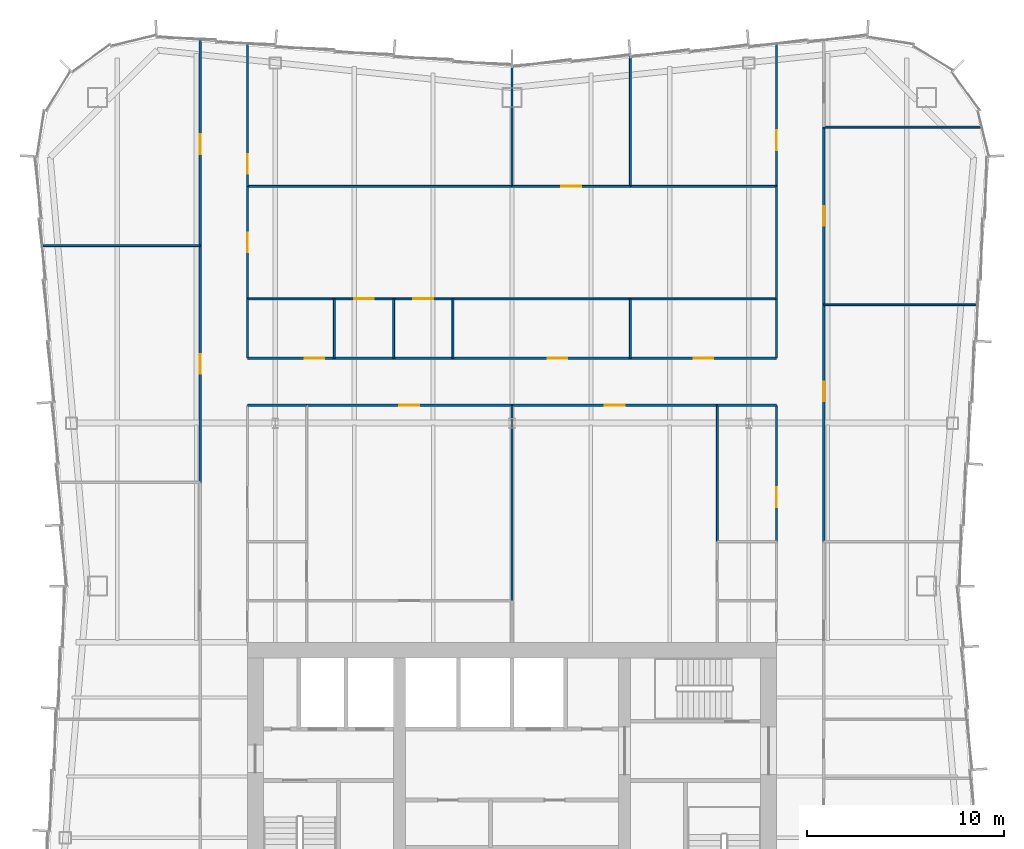
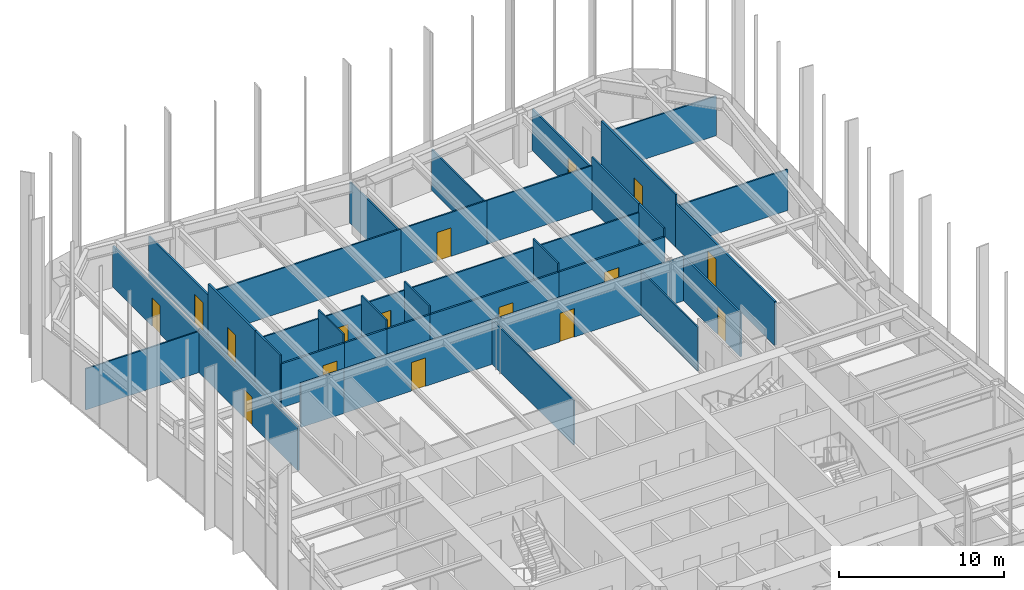
# One storey, part 13 of 15: 39 walls, 16 doors, 16 openings.
"""IFC4 building model written with IfcOpenShell, lengths in metres."""

from ifc_helpers import new_model, si_unit, direction, frame, frame_2d, origin, place, context, subcontext, project, spatial, rectangle, extrude, material, layer, layer_set, type_object, element, fill, save


model = new_model("IFC4")

# Units and contexts
model_context = context("Model", 3, precision=1e-05, world=origin(), true_north=direction((0.0, 1.0)))
body_context = subcontext(model_context, "Body", "Model", "MODEL_VIEW")
ifc_project = project(units=[si_unit("LENGTHUNIT", "METRE"), si_unit("AREAUNIT", "SQUARE_METRE"), si_unit("VOLUMEUNIT", "CUBIC_METRE"), si_unit("PLANEANGLEUNIT", "RADIAN"), si_unit("MASSUNIT", "GRAM", prefix="KILO")], contexts=[model_context])

# Site, building, storey
site_placement = place(None, origin())
site = spatial("IfcSite", under=ifc_project, at=site_placement, CompositionType="ELEMENT")
building_placement = place(site_placement, origin())
building = spatial("IfcBuilding", under=site, at=building_placement, Name="Verdant Reach Tower", CompositionType="ELEMENT")
storey_placement = place(building_placement, frame((0.0, 0.0, 238.0)))
storey = spatial("IfcBuildingStorey", under=building, at=storey_placement, Name="L54", CompositionType="ELEMENT", Elevation=238.0)

# Walls
ifc_material_1 = material(Name="Gypsum board on steel studs", Category="steel")
ifc_layer_1 = layer(ifc_material_1, 0.10009765625)
ifc_layer_set_1 = layer_set([ifc_layer_1], Name="FL-W1 Partition 100")
wall_type_1 = type_object("IfcWallType", Name="FL-W1 Partition 100", PredefinedType="PARTITIONING", material=ifc_layer_set_1)
wall_1_placement = place(storey_placement, frame((-15.800048828125, 58.5, 0.0), z_axis=(0.0, 0.0, 1.0), x_axis=(-1.0, 0.0, 0.0)))
element("IfcWall", 1, at=wall_1_placement, inside=storey, type_object=wall_type_1, Name="Partition 54.42", PredefinedType="PARTITIONING", context=body_context, shape_type="SweptSolid", body=[
    extrude(rectangle(XDim=7.9697265625, YDim=0.10009765625, at=frame_2d((3.98486328125, 0.0))), origin(), (0.0, 0.0, 1.0), 3.0400390625),
])
wall_2_placement = place(storey_placement, frame((23.562744140625, 55.5, 0.0), z_axis=(0.0, 0.0, 1.0), x_axis=(-1.0, 0.0, 0.0)))
element("IfcWall", 2, at=wall_2_placement, inside=storey, type_object=wall_type_1, Name="Partition 54.48", PredefinedType="PARTITIONING", context=body_context, shape_type="SweptSolid", body=[
    extrude(rectangle(XDim=7.7626953125, YDim=0.10009765625, at=frame_2d((3.88134765625, 0.0))), origin(), (0.0, 0.0, 1.0), 3.0400390625),
])
wall_3_placement = place(storey_placement, frame((23.781494140625, 64.5, 0.0), z_axis=(0.0, 0.0, 1.0), x_axis=(-1.0, 0.0, 0.0)))
element("IfcWall", 3, at=wall_3_placement, inside=storey, type_object=wall_type_1, Name="Partition 54.49", PredefinedType="PARTITIONING", context=body_context, shape_type="SweptSolid", body=[
    extrude(rectangle(XDim=7.9814453125, YDim=0.10009765625, at=frame_2d((3.99072265625, 0.0))), origin(), (0.0, 0.0, 1.0), 2.929931640625),
])
wall_4_placement = place(storey_placement, frame((0.0, 40.49609375, 0.0), z_axis=(0.0, 0.0, 1.0), x_axis=(0.0, 1.0, 0.0)))
element("IfcWall", 4, at=wall_4_placement, inside=storey, type_object=wall_type_1, Name="Partition 54.60", PredefinedType="PARTITIONING", context=body_context, shape_type="SweptSolid", body=[
    extrude(rectangle(XDim=9.90380859375, YDim=0.10009765625, at=frame_2d((4.951904296875, 0.0))), origin(), (0.0, 0.0, 1.0), 3.2900390625),
])
wall_5_placement = place(storey_placement, frame((10.39990234375, 50.39990234375, 0.0), z_axis=(0.0, 0.0, 1.0), x_axis=(0.0, -1.0, 0.0)))
element("IfcWall", 5, at=wall_5_placement, inside=storey, type_object=wall_type_1, Name="Partition 54.65", PredefinedType="PARTITIONING", context=body_context, shape_type="SweptSolid", body=[
    extrude(rectangle(XDim=6.90380859375, YDim=0.10009765625, at=frame_2d((3.451904296875, 0.0))), origin(), (0.0, 0.0, 1.0), 3.239990234375),
])
wall_6_placement = place(storey_placement, frame((-9.0, 52.800048828125, 0.0), z_axis=(0.0, 0.0, 1.0), x_axis=(0.0, 1.0, 0.0)))
element("IfcWall", 6, at=wall_6_placement, inside=storey, type_object=wall_type_1, Name="Partition 54.66", PredefinedType="PARTITIONING", context=body_context, shape_type="SweptSolid", body=[
    extrude(rectangle(XDim=3.0, YDim=0.10009765625, at=frame_2d((1.5, 0.0))), origin(), (0.0, 0.0, 1.0), 3.8701171875),
])
wall_7_placement = place(storey_placement, frame((-8.99609375, 55.800048828125, 0.0), z_axis=(0.0, 0.0, 1.0), x_axis=(-1.0, 0.0, 0.0)))
element("IfcWall", 7, at=wall_7_placement, inside=storey, type_object=wall_type_1, Name="Partition 54.67", PredefinedType="PARTITIONING", context=body_context, shape_type="SweptSolid", body=[
    extrude(rectangle(XDim=4.40380859375, YDim=0.10009765625, at=frame_2d((2.201904296875, 0.0))), origin(), (0.0, 0.0, 1.0), 3.239990234375),
])
wall_8_placement = place(storey_placement, frame((-6.0, 52.800048828125, 0.0), z_axis=(0.0, 0.0, 1.0), x_axis=(0.0, 1.0, 0.0)))
element("IfcWall", 8, at=wall_8_placement, inside=storey, type_object=wall_type_1, Name="Partition 54.68", PredefinedType="PARTITIONING", context=body_context, shape_type="SweptSolid", body=[
    extrude(rectangle(XDim=3.0, YDim=0.10009765625, at=frame_2d((1.5, 0.0))), origin(), (0.0, 0.0, 1.0), 3.8701171875),
])

# Wall, opening, door
wall_9_placement = place(storey_placement, frame((-5.99609375, 55.800048828125, 0.0), z_axis=(0.0, 0.0, 1.0), x_axis=(-1.0, 0.0, 0.0)))
wall_9 = element("IfcWall", 9, at=wall_9_placement, inside=storey, type_object=wall_type_1, Name="Partition 54.69", PredefinedType="PARTITIONING", context=body_context, shape_type="SweptSolid", body=[
    extrude(rectangle(XDim=3.0078125, YDim=0.10009765625, at=frame_2d((1.50390625, 0.0))), origin(), (0.0, 0.0, 1.0), 3.239990234375),
])
opening_1_placement = place(wall_9_placement, frame((1.00390625, 0.0, 0.0)))
opening_1 = element("IfcOpeningElement", 10, at=opening_1_placement, cuts=wall_9, Name="Opening D3", PredefinedType="OPENING", context=body_context, shape_type="SweptSolid", body=[
    extrude(rectangle(XDim=1.0, YDim=2.10009765625, at=frame_2d((0.5, 1.050048828125))), frame((0.0, 0.06005859375, 0.0), z_axis=(0.0, -1.0, 0.0), x_axis=(1.0, 0.0, 0.0)), (0.0, 0.0, 1.0), 0.1201171875),
])
ifc_material_2 = material(Name="Painted timber door leaf", Category="wood")
door_type_1 = type_object("IfcDoorType", Name="FL-D3 Door 1000x2100", OperationType="NOTDEFINED", PredefinedType="DOOR", material=ifc_material_2)
door_1_placement = place(opening_1_placement, origin())
door_1 = element("IfcDoor", 11, at=door_1_placement, inside=storey, type_object=door_type_1, Name="Door 54-034", OperationType="SINGLE_SWING_RIGHT", OverallHeight=2.10009765625, OverallWidth=1.0, PredefinedType="DOOR", context=body_context, shape_type="SweptSolid", body=[
    extrude(rectangle(XDim=1.0, YDim=2.10009765625, at=frame_2d((0.5, 1.050048828125))), frame((0.0, 0.02490234375, 0.0), z_axis=(0.0, -1.0, 0.0), x_axis=(1.0, 0.0, 0.0)), (0.0, 0.0, 1.0), 0.050048828125),
])
fill(opening_1, door_1)

# Wall
wall_10_placement = place(storey_placement, frame((-3.0, 52.800048828125, 0.0), z_axis=(0.0, 0.0, 1.0), x_axis=(0.0, 1.0, 0.0)))
element("IfcWall", 12, at=wall_10_placement, inside=storey, type_object=wall_type_1, Name="Partition 54.70", PredefinedType="PARTITIONING", context=body_context, shape_type="SweptSolid", body=[
    extrude(rectangle(XDim=3.0, YDim=0.10009765625, at=frame_2d((1.5, 0.0))), origin(), (0.0, 0.0, 1.0), 3.8701171875),
])

# Wall, opening, door
wall_11_placement = place(storey_placement, frame((-2.99609375, 55.800048828125, 0.0), z_axis=(0.0, 0.0, 1.0), x_axis=(-1.0, 0.0, 0.0)))
wall_11 = element("IfcWall", 13, at=wall_11_placement, inside=storey, type_object=wall_type_1, Name="Partition 54.71", PredefinedType="PARTITIONING", context=body_context, shape_type="SweptSolid", body=[
    extrude(rectangle(XDim=3.0078125, YDim=0.10009765625, at=frame_2d((1.50390625, 0.0))), origin(), (0.0, 0.0, 1.0), 3.239990234375),
])
opening_2_placement = place(wall_11_placement, frame((1.00390625, 0.0, 0.0)))
opening_2 = element("IfcOpeningElement", 14, at=opening_2_placement, cuts=wall_11, Name="Opening D3", PredefinedType="OPENING", context=body_context, shape_type="SweptSolid", body=[
    extrude(rectangle(XDim=1.0, YDim=2.10009765625, at=frame_2d((0.5, 1.050048828125))), frame((0.0, 0.06005859375, 0.0), z_axis=(0.0, -1.0, 0.0), x_axis=(1.0, 0.0, 0.0)), (0.0, 0.0, 1.0), 0.1201171875),
])
door_2_placement = place(opening_2_placement, origin())
door_2 = element("IfcDoor", 15, at=door_2_placement, inside=storey, type_object=door_type_1, Name="Door 54-035", OperationType="SINGLE_SWING_LEFT", OverallHeight=2.10009765625, OverallWidth=1.0, PredefinedType="DOOR", context=body_context, shape_type="SweptSolid", body=[
    extrude(rectangle(XDim=1.0, YDim=2.10009765625, at=frame_2d((0.5, 1.050048828125))), frame((0.0, 0.02490234375, 0.0), z_axis=(0.0, -1.0, 0.0), x_axis=(1.0, 0.0, 0.0)), (0.0, 0.0, 1.0), 0.050048828125),
])
fill(opening_2, door_2)

# Walls
wall_12_placement = place(storey_placement, frame((6.0, 52.800048828125, 0.0), z_axis=(0.0, 0.0, 1.0), x_axis=(0.0, 1.0, 0.0)))
element("IfcWall", 16, at=wall_12_placement, inside=storey, type_object=wall_type_1, Name="Partition 54.72", PredefinedType="PARTITIONING", context=body_context, shape_type="SweptSolid", body=[
    extrude(rectangle(XDim=3.0, YDim=0.10009765625, at=frame_2d((1.5, 0.0))), origin(), (0.0, 0.0, 1.0), 3.8701171875),
])
wall_13_placement = place(storey_placement, frame((6.00390625, 55.800048828125, 0.0), z_axis=(0.0, 0.0, 1.0), x_axis=(-1.0, 0.0, 0.0)))
element("IfcWall", 17, at=wall_13_placement, inside=storey, type_object=wall_type_1, Name="Partition 54.73", PredefinedType="PARTITIONING", context=body_context, shape_type="SweptSolid", body=[
    extrude(rectangle(XDim=9.0078125, YDim=0.10009765625, at=frame_2d((4.50390625, 0.0))), origin(), (0.0, 0.0, 1.0), 3.239990234375),
])
wall_14_placement = place(storey_placement, frame((13.39990234375, 55.800048828125, 0.0), z_axis=(0.0, 0.0, 1.0), x_axis=(-1.0, 0.0, 0.0)))
element("IfcWall", 18, at=wall_14_placement, inside=storey, type_object=wall_type_1, Name="Partition 54.74", PredefinedType="PARTITIONING", context=body_context, shape_type="SweptSolid", body=[
    extrude(rectangle(XDim=7.40380859375, YDim=0.10009765625, at=frame_2d((3.701904296875, 0.0))), origin(), (0.0, 0.0, 1.0), 3.239990234375),
])
wall_15_placement = place(storey_placement, frame((0.0, 61.5, 0.0), z_axis=(0.0, 0.0, 1.0), x_axis=(-1.0, 0.0, 0.0)))
element("IfcWall", 19, at=wall_15_placement, inside=storey, type_object=wall_type_1, Name="Partition 54.75", PredefinedType="PARTITIONING", context=body_context, shape_type="SweptSolid", body=[
    extrude(rectangle(XDim=13.39990234375, YDim=0.10009765625, at=frame_2d((6.699951171875, 0.0))), origin(), (0.0, 0.0, 1.0), 3.239990234375),
])

# Wall, opening, door
wall_16_placement = place(storey_placement, frame((0.0, 61.5, 0.0), z_axis=(0.0, 0.0, 1.0), x_axis=(1.0, 0.0, 0.0)))
wall_16 = element("IfcWall", 20, at=wall_16_placement, inside=storey, type_object=wall_type_1, Name="Partition 54.76", PredefinedType="PARTITIONING", context=body_context, shape_type="SweptSolid", body=[
    extrude(rectangle(XDim=6.0, YDim=0.10009765625, at=frame_2d((3.0, 0.0))), origin(), (0.0, 0.0, 1.0), 3.239990234375),
])
opening_3_placement = place(wall_16_placement, frame((2.5, 0.0, 0.0)))
opening_3 = element("IfcOpeningElement", 21, at=opening_3_placement, cuts=wall_16, Name="Opening D3", PredefinedType="OPENING", context=body_context, shape_type="SweptSolid", body=[
    extrude(rectangle(XDim=1.0, YDim=2.10009765625, at=frame_2d((0.5, 1.050048828125))), frame((0.0, 0.06005859375, 0.0), z_axis=(0.0, -1.0, 0.0), x_axis=(1.0, 0.0, 0.0)), (0.0, 0.0, 1.0), 0.1201171875),
])
door_3_placement = place(opening_3_placement, origin())
door_3 = element("IfcDoor", 22, at=door_3_placement, inside=storey, type_object=door_type_1, Name="Door 54-036", OperationType="SINGLE_SWING_RIGHT", OverallHeight=2.10009765625, OverallWidth=1.0, PredefinedType="DOOR", context=body_context, shape_type="SweptSolid", body=[
    extrude(rectangle(XDim=1.0, YDim=2.10009765625, at=frame_2d((0.5, 1.050048828125))), frame((0.0, 0.02490234375, 0.0), z_axis=(0.0, -1.0, 0.0), x_axis=(1.0, 0.0, 0.0)), (0.0, 0.0, 1.0), 0.050048828125),
])
fill(opening_3, door_3)

# Walls
wall_17_placement = place(storey_placement, frame((13.39990234375, 61.5, 0.0), z_axis=(0.0, 0.0, 1.0), x_axis=(-1.0, 0.0, 0.0)))
element("IfcWall", 23, at=wall_17_placement, inside=storey, type_object=wall_type_1, Name="Partition 54.77", PredefinedType="PARTITIONING", context=body_context, shape_type="SweptSolid", body=[
    extrude(rectangle(XDim=7.39990234375, YDim=0.10009765625, at=frame_2d((3.699951171875, 0.0))), origin(), (0.0, 0.0, 1.0), 3.239990234375),
])
wall_18_placement = place(storey_placement, frame((0.0, 61.5, 0.0), z_axis=(0.0, 0.0, 1.0), x_axis=(0.0, 1.0, 0.0)))
element("IfcWall", 24, at=wall_18_placement, inside=storey, type_object=wall_type_1, Name="Partition 54.78", PredefinedType="PARTITIONING", context=body_context, shape_type="SweptSolid", body=[
    extrude(rectangle(XDim=6.080078125, YDim=0.10009765625, at=frame_2d((3.0400390625, 0.0))), origin(), (0.0, 0.0, 1.0), 3.0400390625),
])
wall_19_placement = place(storey_placement, frame((6.0, 61.5, 0.0), z_axis=(0.0, 0.0, 1.0), x_axis=(0.0, 1.0, 0.0)))
element("IfcWall", 25, at=wall_19_placement, inside=storey, type_object=wall_type_1, Name="Partition 54.79", PredefinedType="PARTITIONING", context=body_context, shape_type="SweptSolid", body=[
    extrude(rectangle(XDim=6.580078125, YDim=0.10009765625, at=frame_2d((3.2900390625, 0.0))), origin(), (0.0, 0.0, 1.0), 3.0400390625),
])

# Wall, opening, door
ifc_material_3 = material(Name="Gypsum board on steel studs, fire rated", Category="steel")
ifc_layer_2 = layer(ifc_material_3, 0.125)
ifc_layer_set_2 = layer_set([ifc_layer_2], Name="FL-W2 Corridor wall 125")
wall_type_2 = type_object("IfcWallType", Name="FL-W2 Corridor wall 125", PredefinedType="PARTITIONING", material=ifc_layer_set_2)
wall_20_placement = place(storey_placement, frame((-15.800048828125, 46.5, 0.0), z_axis=(0.0, 0.0, 1.0), x_axis=(0.0, 1.0, 0.0)))
wall_20 = element("IfcWall", 26, at=wall_20_placement, inside=storey, type_object=wall_type_2, Name="Partition 54.05", PredefinedType="PARTITIONING", context=body_context, shape_type="SweptSolid", body=[
    extrude(rectangle(XDim=12.0, YDim=0.125, at=frame_2d((6.0, 0.0))), origin(), (0.0, 0.0, 1.0), 3.239990234375),
])
opening_4_placement = place(wall_20_placement, frame((5.5, 0.0, 0.0)))
opening_4 = element("IfcOpeningElement", 27, at=opening_4_placement, cuts=wall_20, Name="Opening D2", PredefinedType="OPENING", context=body_context, shape_type="SweptSolid", body=[
    extrude(rectangle(XDim=1.0, YDim=2.10009765625, at=frame_2d((0.5, 1.050048828125))), frame((0.0, 0.072509765625, 0.0), z_axis=(0.0, -1.0, 0.0), x_axis=(1.0, 0.0, 0.0)), (0.0, 0.0, 1.0), 0.14501953125),
])
ifc_material_4 = material(Name="Timber door leaf, fire rated", Category="wood")
door_type_2 = type_object("IfcDoorType", Name="FL-D2 Entrance door 1000x2100 FD30", OperationType="NOTDEFINED", PredefinedType="DOOR", material=ifc_material_4)
door_4_placement = place(opening_4_placement, origin())
door_4 = element("IfcDoor", 28, at=door_4_placement, inside=storey, type_object=door_type_2, Name="Door 54-005", OperationType="SINGLE_SWING_LEFT", OverallHeight=2.10009765625, OverallWidth=1.0, PredefinedType="DOOR", context=body_context, shape_type="SweptSolid", body=[
    extrude(rectangle(XDim=1.0, YDim=2.10009765625, at=frame_2d((0.5, 1.050048828125))), frame((0.0, 0.02490234375, 0.0), z_axis=(0.0, -1.0, 0.0), x_axis=(1.0, 0.0, 0.0)), (0.0, 0.0, 1.0), 0.050048828125),
])
fill(opening_4, door_4)

wall_21_placement = place(storey_placement, frame((-15.800048828125, 58.5, 0.0), z_axis=(0.0, 0.0, 1.0), x_axis=(0.0, 1.0, 0.0)))
wall_21 = element("IfcWall", 29, at=wall_21_placement, inside=storey, type_object=wall_type_2, Name="Partition 54.06", PredefinedType="PARTITIONING", context=body_context, shape_type="SweptSolid", body=[
    extrude(rectangle(XDim=10.396728515625, YDim=0.125, at=frame_2d((5.1982421875, 0.0))), origin(), (0.0, 0.0, 1.0), 3.0400390625),
])
opening_5_placement = place(wall_21_placement, frame((4.63330078125, 0.0, 0.0)))
opening_5 = element("IfcOpeningElement", 30, at=opening_5_placement, cuts=wall_21, Name="Opening D2", PredefinedType="OPENING", context=body_context, shape_type="SweptSolid", body=[
    extrude(rectangle(XDim=1.0, YDim=2.10009765625, at=frame_2d((0.5, 1.050048828125))), frame((0.0, 0.072509765625, 0.0), z_axis=(0.0, -1.0, 0.0), x_axis=(1.0, 0.0, 0.0)), (0.0, 0.0, 1.0), 0.14501953125),
])
door_5_placement = place(opening_5_placement, origin())
door_5 = element("IfcDoor", 31, at=door_5_placement, inside=storey, type_object=door_type_2, Name="Door 54-006", OperationType="SINGLE_SWING_LEFT", OverallHeight=2.10009765625, OverallWidth=1.0, PredefinedType="DOOR", context=body_context, shape_type="SweptSolid", body=[
    extrude(rectangle(XDim=1.0, YDim=2.10009765625, at=frame_2d((0.5, 1.050048828125))), frame((0.0, 0.02490234375, 0.0), z_axis=(0.0, -1.0, 0.0), x_axis=(1.0, 0.0, 0.0)), (0.0, 0.0, 1.0), 0.050048828125),
])
fill(opening_5, door_5)

wall_22_placement = place(storey_placement, frame((15.800048828125, 55.5, 0.0), z_axis=(0.0, 0.0, 1.0), x_axis=(0.0, -1.0, 0.0)))
wall_22 = element("IfcWall", 32, at=wall_22_placement, inside=storey, type_object=wall_type_2, Name="Partition 54.12", PredefinedType="PARTITIONING", context=body_context, shape_type="SweptSolid", body=[
    extrude(rectangle(XDim=12.0, YDim=0.125, at=frame_2d((6.0, 0.0))), origin(), (0.0, 0.0, 1.0), 3.239990234375),
])
opening_6_placement = place(wall_22_placement, frame((3.89990234375, 0.0, 0.0)))
opening_6 = element("IfcOpeningElement", 33, at=opening_6_placement, cuts=wall_22, Name="Opening D2", PredefinedType="OPENING", context=body_context, shape_type="SweptSolid", body=[
    extrude(rectangle(XDim=1.0, YDim=2.10009765625, at=frame_2d((0.5, 1.050048828125))), frame((0.0, 0.072509765625, 0.0), z_axis=(0.0, -1.0, 0.0), x_axis=(1.0, 0.0, 0.0)), (0.0, 0.0, 1.0), 0.14501953125),
])
door_6_placement = place(opening_6_placement, origin())
door_6 = element("IfcDoor", 34, at=door_6_placement, inside=storey, type_object=door_type_2, Name="Door 54-012", OperationType="SINGLE_SWING_LEFT", OverallHeight=2.10009765625, OverallWidth=1.0, PredefinedType="DOOR", context=body_context, shape_type="SweptSolid", body=[
    extrude(rectangle(XDim=1.0, YDim=2.10009765625, at=frame_2d((0.5, 1.050048828125))), frame((0.0, 0.02490234375, 0.0), z_axis=(0.0, -1.0, 0.0), x_axis=(1.0, 0.0, 0.0)), (0.0, 0.0, 1.0), 0.050048828125),
])
fill(opening_6, door_6)

wall_23_placement = place(storey_placement, frame((15.800048828125, 64.5, 0.0), z_axis=(0.0, 0.0, 1.0), x_axis=(0.0, -1.0, 0.0)))
wall_23 = element("IfcWall", 35, at=wall_23_placement, inside=storey, type_object=wall_type_2, Name="Partition 54.13", PredefinedType="PARTITIONING", context=body_context, shape_type="SweptSolid", body=[
    extrude(rectangle(XDim=9.0, YDim=0.125, at=frame_2d((4.5, 0.0))), origin(), (0.0, 0.0, 1.0), 3.8701171875),
])
opening_7_placement = place(wall_23_placement, frame((4.0, 0.0, 0.0)))
opening_7 = element("IfcOpeningElement", 36, at=opening_7_placement, cuts=wall_23, Name="Opening D2", PredefinedType="OPENING", context=body_context, shape_type="SweptSolid", body=[
    extrude(rectangle(XDim=1.0, YDim=2.10009765625, at=frame_2d((0.5, 1.050048828125))), frame((0.0, 0.072509765625, 0.0), z_axis=(0.0, -1.0, 0.0), x_axis=(1.0, 0.0, 0.0)), (0.0, 0.0, 1.0), 0.14501953125),
])
door_7_placement = place(opening_7_placement, origin())
door_7 = element("IfcDoor", 37, at=door_7_placement, inside=storey, type_object=door_type_2, Name="Door 54-013", OperationType="SINGLE_SWING_LEFT", OverallHeight=2.10009765625, OverallWidth=1.0, PredefinedType="DOOR", context=body_context, shape_type="SweptSolid", body=[
    extrude(rectangle(XDim=1.0, YDim=2.10009765625, at=frame_2d((0.5, 1.050048828125))), frame((0.0, 0.02490234375, 0.0), z_axis=(0.0, -1.0, 0.0), x_axis=(1.0, 0.0, 0.0)), (0.0, 0.0, 1.0), 0.050048828125),
])
fill(opening_7, door_7)

# Wall
wall_24_placement = place(storey_placement, frame((-10.39990234375, 50.39990234375, 0.0), z_axis=(0.0, 0.0, 1.0), x_axis=(-1.0, 0.0, 0.0)))
element("IfcWall", 38, at=wall_24_placement, inside=storey, type_object=wall_type_2, Name="Partition 54.20", PredefinedType="PARTITIONING", context=body_context, shape_type="SweptSolid", body=[
    extrude(rectangle(XDim=3.0, YDim=0.125, at=frame_2d((1.5, 0.0))), origin(), (0.0, 0.0, 1.0), 3.239990234375),
])

# Wall, opening, door
wall_25_placement = place(storey_placement, frame((0.0, 50.39990234375, 0.0), z_axis=(0.0, 0.0, 1.0), x_axis=(-1.0, 0.0, 0.0)))
wall_25 = element("IfcWall", 39, at=wall_25_placement, inside=storey, type_object=wall_type_2, Name="Partition 54.21", PredefinedType="PARTITIONING", context=body_context, shape_type="SweptSolid", body=[
    extrude(rectangle(XDim=10.39990234375, YDim=0.125, at=frame_2d((5.199951171875, 0.0))), origin(), (0.0, 0.0, 1.0), 3.239990234375),
])
opening_8_placement = place(wall_25_placement, frame((4.699951171875, 0.0, 0.0)))
opening_8 = element("IfcOpeningElement", 40, at=opening_8_placement, cuts=wall_25, Name="Opening D2", PredefinedType="OPENING", context=body_context, shape_type="SweptSolid", body=[
    extrude(rectangle(XDim=1.0, YDim=2.10009765625, at=frame_2d((0.5, 1.050048828125))), frame((0.0, 0.072509765625, 0.0), z_axis=(0.0, -1.0, 0.0), x_axis=(1.0, 0.0, 0.0)), (0.0, 0.0, 1.0), 0.14501953125),
])
door_8_placement = place(opening_8_placement, origin())
door_8 = element("IfcDoor", 41, at=door_8_placement, inside=storey, type_object=door_type_2, Name="Door 54-019", OperationType="SINGLE_SWING_LEFT", OverallHeight=2.10009765625, OverallWidth=1.0, PredefinedType="DOOR", context=body_context, shape_type="SweptSolid", body=[
    extrude(rectangle(XDim=1.0, YDim=2.10009765625, at=frame_2d((0.5, 1.050048828125))), frame((0.0, 0.02490234375, 0.0), z_axis=(0.0, -1.0, 0.0), x_axis=(1.0, 0.0, 0.0)), (0.0, 0.0, 1.0), 0.050048828125),
])
fill(opening_8, door_8)

# Wall
wall_26_placement = place(storey_placement, frame((13.39990234375, 50.39990234375, 0.0), z_axis=(0.0, 0.0, 1.0), x_axis=(-1.0, 0.0, 0.0)))
element("IfcWall", 42, at=wall_26_placement, inside=storey, type_object=wall_type_2, Name="Partition 54.24", PredefinedType="PARTITIONING", context=body_context, shape_type="SweptSolid", body=[
    extrude(rectangle(XDim=3.0, YDim=0.125, at=frame_2d((1.5, 0.0))), origin(), (0.0, 0.0, 1.0), 3.239990234375),
])

# Wall, opening, door
wall_27_placement = place(storey_placement, frame((13.39990234375, 43.5, 0.0), z_axis=(0.0, 0.0, 1.0), x_axis=(0.0, 1.0, 0.0)))
wall_27 = element("IfcWall", 43, at=wall_27_placement, inside=storey, type_object=wall_type_2, Name="Partition 54.25", PredefinedType="PARTITIONING", context=body_context, shape_type="SweptSolid", body=[
    extrude(rectangle(XDim=6.89990234375, YDim=0.125, at=frame_2d((3.449951171875, 0.0))), origin(), (0.0, 0.0, 1.0), 3.239990234375),
])
opening_9_placement = place(wall_27_placement, frame((1.75, 0.0, 0.0)))
opening_9 = element("IfcOpeningElement", 44, at=opening_9_placement, cuts=wall_27, Name="Opening D2", PredefinedType="OPENING", context=body_context, shape_type="SweptSolid", body=[
    extrude(rectangle(XDim=1.0, YDim=2.10009765625, at=frame_2d((0.5, 1.050048828125))), frame((0.0, 0.072509765625, 0.0), z_axis=(0.0, -1.0, 0.0), x_axis=(1.0, 0.0, 0.0)), (0.0, 0.0, 1.0), 0.14501953125),
])
door_9_placement = place(opening_9_placement, origin())
door_9 = element("IfcDoor", 45, at=door_9_placement, inside=storey, type_object=door_type_2, Name="Door 54-021", OperationType="SINGLE_SWING_LEFT", OverallHeight=2.10009765625, OverallWidth=1.0, PredefinedType="DOOR", context=body_context, shape_type="SweptSolid", body=[
    extrude(rectangle(XDim=1.0, YDim=2.10009765625, at=frame_2d((0.5, 1.050048828125))), frame((0.0, 0.02490234375, 0.0), z_axis=(0.0, -1.0, 0.0), x_axis=(1.0, 0.0, 0.0)), (0.0, 0.0, 1.0), 0.050048828125),
])
fill(opening_9, door_9)

wall_28_placement = place(storey_placement, frame((10.39990234375, 50.39990234375, 0.0), z_axis=(0.0, 0.0, 1.0), x_axis=(-1.0, 0.0, 0.0)))
wall_28 = element("IfcWall", 46, at=wall_28_placement, inside=storey, type_object=wall_type_2, Name="Partition 54.26", PredefinedType="PARTITIONING", context=body_context, shape_type="SweptSolid", body=[
    extrude(rectangle(XDim=10.39990234375, YDim=0.125, at=frame_2d((5.199951171875, 0.0))), origin(), (0.0, 0.0, 1.0), 3.239990234375),
])
opening_10_placement = place(wall_28_placement, frame((4.699951171875, 0.0, 0.0)))
opening_10 = element("IfcOpeningElement", 47, at=opening_10_placement, cuts=wall_28, Name="Opening D2", PredefinedType="OPENING", context=body_context, shape_type="SweptSolid", body=[
    extrude(rectangle(XDim=1.0, YDim=2.10009765625, at=frame_2d((0.5, 1.050048828125))), frame((0.0, 0.072509765625, 0.0), z_axis=(0.0, -1.0, 0.0), x_axis=(1.0, 0.0, 0.0)), (0.0, 0.0, 1.0), 0.14501953125),
])
door_10_placement = place(opening_10_placement, origin())
door_10 = element("IfcDoor", 48, at=door_10_placement, inside=storey, type_object=door_type_2, Name="Door 54-022", OperationType="SINGLE_SWING_RIGHT", OverallHeight=2.10009765625, OverallWidth=1.0, PredefinedType="DOOR", context=body_context, shape_type="SweptSolid", body=[
    extrude(rectangle(XDim=1.0, YDim=2.10009765625, at=frame_2d((0.5, 1.050048828125))), frame((0.0, 0.02490234375, 0.0), z_axis=(0.0, -1.0, 0.0), x_axis=(1.0, 0.0, 0.0)), (0.0, 0.0, 1.0), 0.050048828125),
])
fill(opening_10, door_10)

wall_29_placement = place(storey_placement, frame((-13.39990234375, 52.800048828125, 0.0), z_axis=(0.0, 0.0, 1.0), x_axis=(1.0, 0.0, 0.0)))
wall_29 = element("IfcWall", 49, at=wall_29_placement, inside=storey, type_object=wall_type_2, Name="Partition 54.27", PredefinedType="PARTITIONING", context=body_context, shape_type="SweptSolid", body=[
    extrude(rectangle(XDim=4.39990234375, YDim=0.125, at=frame_2d((2.199951171875, 0.0))), origin(), (0.0, 0.0, 1.0), 3.239990234375),
])
opening_11_placement = place(wall_29_placement, frame((2.89990234375, 0.0, 0.0)))
opening_11 = element("IfcOpeningElement", 50, at=opening_11_placement, cuts=wall_29, Name="Opening D2", PredefinedType="OPENING", context=body_context, shape_type="SweptSolid", body=[
    extrude(rectangle(XDim=1.0, YDim=2.10009765625, at=frame_2d((0.5, 1.050048828125))), frame((0.0, 0.072509765625, 0.0), z_axis=(0.0, -1.0, 0.0), x_axis=(1.0, 0.0, 0.0)), (0.0, 0.0, 1.0), 0.14501953125),
])
door_11_placement = place(opening_11_placement, origin())
door_11 = element("IfcDoor", 51, at=door_11_placement, inside=storey, type_object=door_type_2, Name="Door 54-023", OperationType="SINGLE_SWING_RIGHT", OverallHeight=2.10009765625, OverallWidth=1.0, PredefinedType="DOOR", context=body_context, shape_type="SweptSolid", body=[
    extrude(rectangle(XDim=1.0, YDim=2.10009765625, at=frame_2d((0.5, 1.050048828125))), frame((0.0, 0.02490234375, 0.0), z_axis=(0.0, -1.0, 0.0), x_axis=(1.0, 0.0, 0.0)), (0.0, 0.0, 1.0), 0.050048828125),
])
fill(opening_11, door_11)

# Walls
wall_30_placement = place(storey_placement, frame((-13.39990234375, 52.800048828125, 0.0), z_axis=(0.0, 0.0, 1.0), x_axis=(0.0, 1.0, 0.0)))
element("IfcWall", 52, at=wall_30_placement, inside=storey, type_object=wall_type_2, Name="Partition 54.28", PredefinedType="PARTITIONING", context=body_context, shape_type="SweptSolid", body=[
    extrude(rectangle(XDim=3.0, YDim=0.125, at=frame_2d((1.5, 0.0))), origin(), (0.0, 0.0, 1.0), 3.8701171875),
])
for number, where, z_axis, x_axis, name in (
    (53, (-6.0, 52.800048828125, 0.0), (0.0, 0.0, 1.0), (-1.0, 0.0, 0.0), "Partition 54.29"),
    (54, (-3.0, 52.800048828125, 0.0), (0.0, 0.0, 1.0), (-1.0, 0.0, 0.0), "Partition 54.30"),
):
    element("IfcWall", number, at=place(storey_placement, frame(where, z_axis=z_axis, x_axis=x_axis)), inside=storey, type_object=wall_type_2, Name=name, PredefinedType="PARTITIONING", context=body_context, shape_type="SweptSolid", body=[
        extrude(rectangle(XDim=3.0, YDim=0.125, at=frame_2d((1.5, 0.0))), origin(), (0.0, 0.0, 1.0), 3.239990234375),
    ])

# Wall, opening, door
wall_31_placement = place(storey_placement, frame((-3.0, 52.800048828125, 0.0), z_axis=(0.0, 0.0, 1.0), x_axis=(1.0, 0.0, 0.0)))
wall_31 = element("IfcWall", 55, at=wall_31_placement, inside=storey, type_object=wall_type_2, Name="Partition 54.31", PredefinedType="PARTITIONING", context=body_context, shape_type="SweptSolid", body=[
    extrude(rectangle(XDim=9.0, YDim=0.125, at=frame_2d((4.5, 0.0))), origin(), (0.0, 0.0, 1.0), 3.239990234375),
])
opening_12_placement = place(wall_31_placement, frame((4.800048828125, 0.0, 0.0)))
opening_12 = element("IfcOpeningElement", 56, at=opening_12_placement, cuts=wall_31, Name="Opening D2", PredefinedType="OPENING", context=body_context, shape_type="SweptSolid", body=[
    extrude(rectangle(XDim=1.0, YDim=2.10009765625, at=frame_2d((0.5, 1.050048828125))), frame((0.0, 0.072509765625, 0.0), z_axis=(0.0, -1.0, 0.0), x_axis=(1.0, 0.0, 0.0)), (0.0, 0.0, 1.0), 0.14501953125),
])
door_12_placement = place(opening_12_placement, origin())
door_12 = element("IfcDoor", 57, at=door_12_placement, inside=storey, type_object=door_type_2, Name="Door 54-024", OperationType="SINGLE_SWING_RIGHT", OverallHeight=2.10009765625, OverallWidth=1.0, PredefinedType="DOOR", context=body_context, shape_type="SweptSolid", body=[
    extrude(rectangle(XDim=1.0, YDim=2.10009765625, at=frame_2d((0.5, 1.050048828125))), frame((0.0, 0.02490234375, 0.0), z_axis=(0.0, -1.0, 0.0), x_axis=(1.0, 0.0, 0.0)), (0.0, 0.0, 1.0), 0.050048828125),
])
fill(opening_12, door_12)

# Wall
wall_32_placement = place(storey_placement, frame((13.39990234375, 52.800048828125, 0.0), z_axis=(0.0, 0.0, 1.0), x_axis=(0.0, 1.0, 0.0)))
element("IfcWall", 58, at=wall_32_placement, inside=storey, type_object=wall_type_2, Name="Partition 54.32", PredefinedType="PARTITIONING", context=body_context, shape_type="SweptSolid", body=[
    extrude(rectangle(XDim=3.0, YDim=0.125, at=frame_2d((1.5, 0.0))), origin(), (0.0, 0.0, 1.0), 3.8701171875),
])

# Wall, opening, door
wall_33_placement = place(storey_placement, frame((6.0, 52.800048828125, 0.0), z_axis=(0.0, 0.0, 1.0), x_axis=(1.0, 0.0, 0.0)))
wall_33 = element("IfcWall", 59, at=wall_33_placement, inside=storey, type_object=wall_type_2, Name="Partition 54.33", PredefinedType="PARTITIONING", context=body_context, shape_type="SweptSolid", body=[
    extrude(rectangle(XDim=7.39990234375, YDim=0.125, at=frame_2d((3.699951171875, 0.0))), origin(), (0.0, 0.0, 1.0), 3.239990234375),
])
opening_13_placement = place(wall_33_placement, frame((3.199951171875, 0.0, 0.0)))
opening_13 = element("IfcOpeningElement", 60, at=opening_13_placement, cuts=wall_33, Name="Opening D2", PredefinedType="OPENING", context=body_context, shape_type="SweptSolid", body=[
    extrude(rectangle(XDim=1.0, YDim=2.10009765625, at=frame_2d((0.5, 1.050048828125))), frame((0.0, 0.072509765625, 0.0), z_axis=(0.0, -1.0, 0.0), x_axis=(1.0, 0.0, 0.0)), (0.0, 0.0, 1.0), 0.14501953125),
])
door_13_placement = place(opening_13_placement, origin())
door_13 = element("IfcDoor", 61, at=door_13_placement, inside=storey, type_object=door_type_2, Name="Door 54-025", OperationType="SINGLE_SWING_LEFT", OverallHeight=2.10009765625, OverallWidth=1.0, PredefinedType="DOOR", context=body_context, shape_type="SweptSolid", body=[
    extrude(rectangle(XDim=1.0, YDim=2.10009765625, at=frame_2d((0.5, 1.050048828125))), frame((0.0, 0.02490234375, 0.0), z_axis=(0.0, -1.0, 0.0), x_axis=(1.0, 0.0, 0.0)), (0.0, 0.0, 1.0), 0.050048828125),
])
fill(opening_13, door_13)

wall_34_placement = place(storey_placement, frame((-13.39990234375, 61.5, 0.0), z_axis=(0.0, 0.0, 1.0), x_axis=(0.0, -1.0, 0.0)))
wall_34 = element("IfcWall", 62, at=wall_34_placement, inside=storey, type_object=wall_type_2, Name="Partition 54.34", PredefinedType="PARTITIONING", context=body_context, shape_type="SweptSolid", body=[
    extrude(rectangle(XDim=5.699951171875, YDim=0.125, at=frame_2d((2.85009765625, 0.0))), origin(), (0.0, 0.0, 1.0), 3.8701171875),
])
opening_14_placement = place(wall_34_placement, frame((2.35009765625, 0.0, 0.0)))
opening_14 = element("IfcOpeningElement", 63, at=opening_14_placement, cuts=wall_34, Name="Opening D2", PredefinedType="OPENING", context=body_context, shape_type="SweptSolid", body=[
    extrude(rectangle(XDim=1.0, YDim=2.10009765625, at=frame_2d((0.5, 1.050048828125))), frame((0.0, 0.072509765625, 0.0), z_axis=(0.0, -1.0, 0.0), x_axis=(1.0, 0.0, 0.0)), (0.0, 0.0, 1.0), 0.14501953125),
])
door_14_placement = place(opening_14_placement, origin())
door_14 = element("IfcDoor", 64, at=door_14_placement, inside=storey, type_object=door_type_2, Name="Door 54-026", OperationType="SINGLE_SWING_RIGHT", OverallHeight=2.10009765625, OverallWidth=1.0, PredefinedType="DOOR", context=body_context, shape_type="SweptSolid", body=[
    extrude(rectangle(XDim=1.0, YDim=2.10009765625, at=frame_2d((0.5, 1.050048828125))), frame((0.0, 0.02490234375, 0.0), z_axis=(0.0, -1.0, 0.0), x_axis=(1.0, 0.0, 0.0)), (0.0, 0.0, 1.0), 0.050048828125),
])
fill(opening_14, door_14)

# Wall
wall_35_placement = place(storey_placement, frame((13.39990234375, 55.800048828125, 0.0), z_axis=(0.0, 0.0, 1.0), x_axis=(0.0, 1.0, 0.0)))
element("IfcWall", 65, at=wall_35_placement, inside=storey, type_object=wall_type_2, Name="Partition 54.35", PredefinedType="PARTITIONING", context=body_context, shape_type="SweptSolid", body=[
    extrude(rectangle(XDim=5.699951171875, YDim=0.125, at=frame_2d((2.85009765625, 0.0))), origin(), (0.0, 0.0, 1.0), 3.8701171875),
])

# Wall, opening, door
wall_36_placement = place(storey_placement, frame((-13.39990234375, 68.69677734375, 0.0), z_axis=(0.0, 0.0, 1.0), x_axis=(0.0, -1.0, 0.0)))
wall_36 = element("IfcWall", 66, at=wall_36_placement, inside=storey, type_object=wall_type_2, Name="Partition 54.36", PredefinedType="PARTITIONING", context=body_context, shape_type="SweptSolid", body=[
    extrude(rectangle(XDim=7.19677734375, YDim=0.125, at=frame_2d((3.598388671875, 0.0))), origin(), (0.0, 0.0, 1.0), 3.0400390625),
])
opening_15_placement = place(wall_36_placement, frame((5.5634765625, 0.0, 0.0)))
opening_15 = element("IfcOpeningElement", 67, at=opening_15_placement, cuts=wall_36, Name="Opening D2", PredefinedType="OPENING", context=body_context, shape_type="SweptSolid", body=[
    extrude(rectangle(XDim=1.0, YDim=2.10009765625, at=frame_2d((0.5, 1.050048828125))), frame((0.0, 0.072509765625, 0.0), z_axis=(0.0, -1.0, 0.0), x_axis=(1.0, 0.0, 0.0)), (0.0, 0.0, 1.0), 0.14501953125),
])
door_15_placement = place(opening_15_placement, origin())
door_15 = element("IfcDoor", 68, at=door_15_placement, inside=storey, type_object=door_type_2, Name="Door 54-027", OperationType="SINGLE_SWING_RIGHT", OverallHeight=2.10009765625, OverallWidth=1.0, PredefinedType="DOOR", context=body_context, shape_type="SweptSolid", body=[
    extrude(rectangle(XDim=1.0, YDim=2.10009765625, at=frame_2d((0.5, 1.050048828125))), frame((0.0, 0.02490234375, 0.0), z_axis=(0.0, -1.0, 0.0), x_axis=(1.0, 0.0, 0.0)), (0.0, 0.0, 1.0), 0.050048828125),
])
fill(opening_15, door_15)

wall_37_placement = place(storey_placement, frame((13.39990234375, 61.5, 0.0), z_axis=(0.0, 0.0, 1.0), x_axis=(0.0, 1.0, 0.0)))
wall_37 = element("IfcWall", 69, at=wall_37_placement, inside=storey, type_object=wall_type_2, Name="Partition 54.37", PredefinedType="PARTITIONING", context=body_context, shape_type="SweptSolid", body=[
    extrude(rectangle(XDim=7.19677734375, YDim=0.125, at=frame_2d((3.598388671875, 0.0))), origin(), (0.0, 0.0, 1.0), 3.0400390625),
])
opening_16_placement = place(wall_37_placement, frame((1.833251953125, 0.0, 0.0)))
opening_16 = element("IfcOpeningElement", 70, at=opening_16_placement, cuts=wall_37, Name="Opening D2", PredefinedType="OPENING", context=body_context, shape_type="SweptSolid", body=[
    extrude(rectangle(XDim=1.0, YDim=2.10009765625, at=frame_2d((0.5, 1.050048828125))), frame((0.0, 0.072509765625, 0.0), z_axis=(0.0, -1.0, 0.0), x_axis=(1.0, 0.0, 0.0)), (0.0, 0.0, 1.0), 0.14501953125),
])
door_16_placement = place(opening_16_placement, origin())
door_16 = element("IfcDoor", 71, at=door_16_placement, inside=storey, type_object=door_type_2, Name="Door 54-028", OperationType="SINGLE_SWING_LEFT", OverallHeight=2.10009765625, OverallWidth=1.0, PredefinedType="DOOR", context=body_context, shape_type="SweptSolid", body=[
    extrude(rectangle(XDim=1.0, YDim=2.10009765625, at=frame_2d((0.5, 1.050048828125))), frame((0.0, 0.02490234375, 0.0), z_axis=(0.0, -1.0, 0.0), x_axis=(1.0, 0.0, 0.0)), (0.0, 0.0, 1.0), 0.050048828125),
])
fill(opening_16, door_16)

save(model, "model.ifc")
